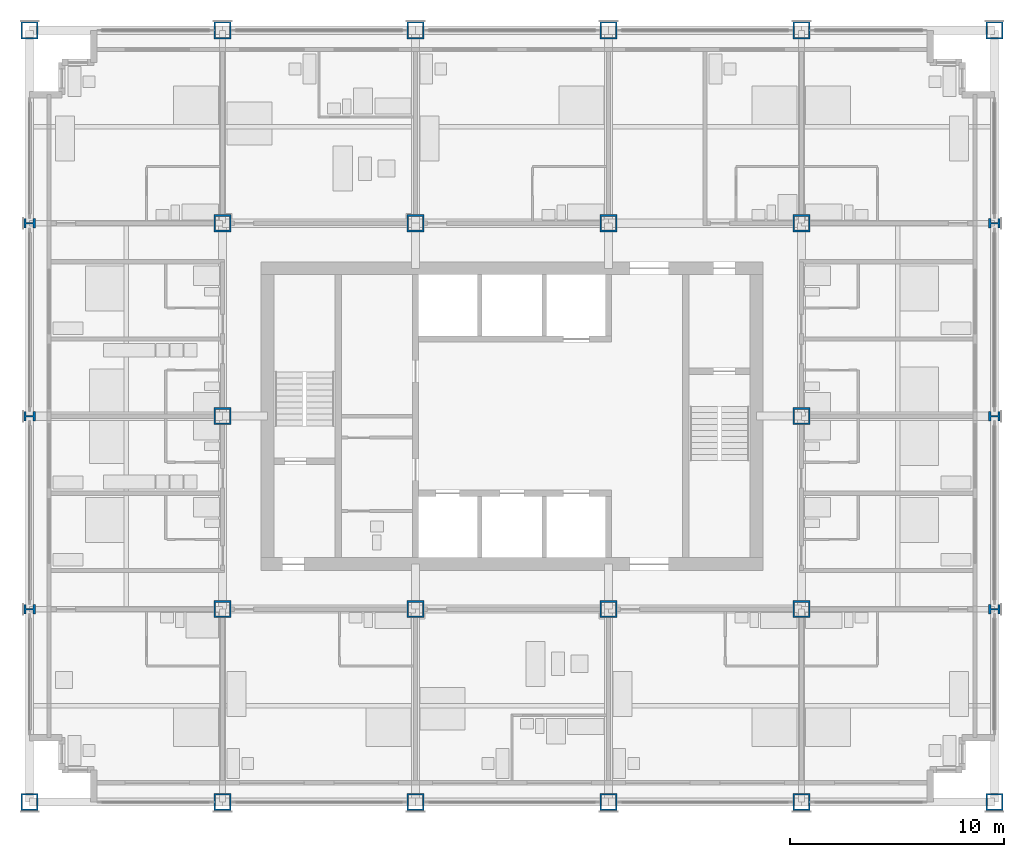
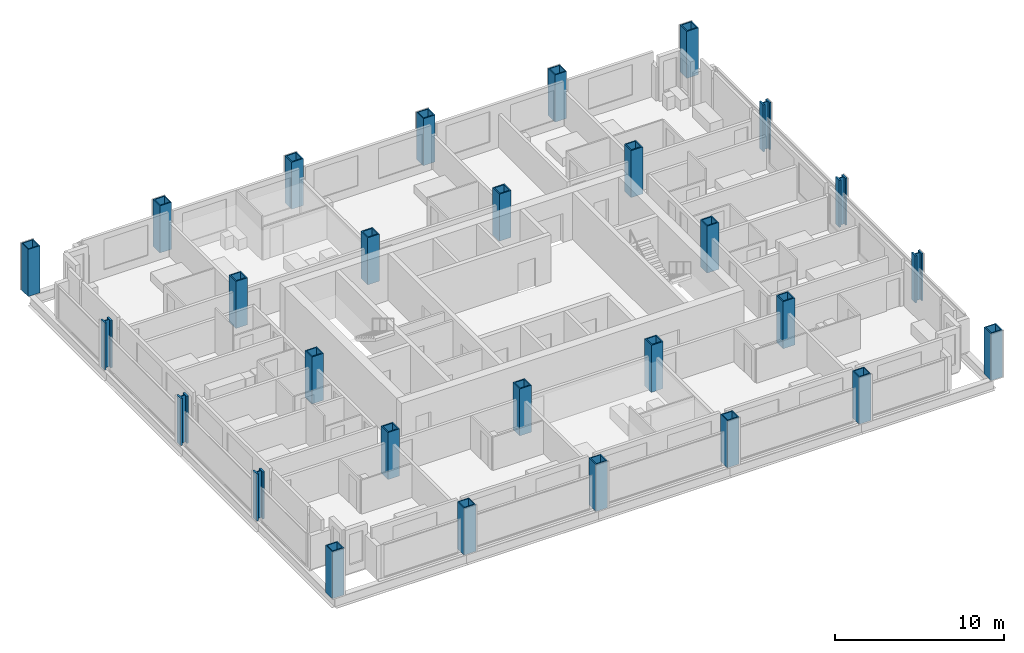
# One storey, part 1 of 16: 28 columns.
"""IFC4 building model written with IfcOpenShell, lengths in metres."""

from ifc_helpers import new_model, si_unit, direction, frame, origin, origin_2d, place, context, subcontext, project, spatial, hollow_rectangle, i_section, extrude, material, material_profile, profile_set, type_object, element, save


model = new_model("IFC4")

# Units and contexts
model_context = context("Model", 3, precision=1e-05, world=origin(), true_north=direction((0.0, 1.0)))
body_context = subcontext(model_context, "Body", "Model", "MODEL_VIEW")
ifc_project = project(units=[si_unit("LENGTHUNIT", "METRE"), si_unit("AREAUNIT", "SQUARE_METRE"), si_unit("VOLUMEUNIT", "CUBIC_METRE"), si_unit("PLANEANGLEUNIT", "RADIAN"), si_unit("MASSUNIT", "GRAM", prefix="KILO")], contexts=[model_context])

# Site, building, storey
site_placement = place(None, origin())
site = spatial("IfcSite", under=ifc_project, at=site_placement, CompositionType="ELEMENT")
building_placement = place(site_placement, origin())
building = spatial("IfcBuilding", under=site, at=building_placement, Name="Loomwork Tower", CompositionType="ELEMENT")
storey_placement = place(building_placement, frame((0.0, 0.0, 107.800048828125)))
storey = spatial("IfcBuildingStorey", under=building, at=storey_placement, Name="L28", CompositionType="ELEMENT", Elevation=107.800048828125)

# Columns
ifc_material_1 = material(Name="Steel ASTM A572 Grade 50 plate", Category="steel")
ifc_material_profile_1 = material_profile(ifc_material_1, hollow_rectangle(XDim=0.800048828125, YDim=0.800048828125, WallThickness=0.070068359375, at=origin_2d()), Name="BOX800x70")
ifc_profile_set_1 = profile_set([ifc_material_profile_1], Name="Steel ASTM A572 Grade 50 plate")
column_type_1 = type_object("IfcColumnType", Name="EXOSKELETON PIER BOX800x70", PredefinedType="COLUMN", material=ifc_profile_set_1)
for number, where, z_axis, x_axis, name in (
    (1, (0.0, 0.0, 0.0), (0.0, 0.0, 1.0), (1.0, 0.0, 0.0), "Exoskeleton Pier D/2 L28"),
    (2, (0.0, 36.0, 0.0), (0.0, 0.0, 1.0), (1.0, 0.0, 0.0), "Exoskeleton Pier H/2 L28"),
    (3, (9.0, 0.0, 0.0), (0.0, 0.0, 1.0), (1.0, 0.0, 0.0), "Exoskeleton Pier D/3 L28"),
    (4, (9.0, 36.0, 0.0), (0.0, 0.0, 1.0), (1.0, 0.0, 0.0), "Exoskeleton Pier H/3 L28"),
    (5, (18.0, 0.0, 0.0), (0.0, 0.0, 1.0), (1.0, 0.0, 0.0), "Exoskeleton Pier D/4 L28"),
    (6, (18.0, 36.0, 0.0), (0.0, 0.0, 1.0), (1.0, 0.0, 0.0), "Exoskeleton Pier H/4 L28"),
    (7, (27.0, 0.0, 0.0), (0.0, 0.0, 1.0), (1.0, 0.0, 0.0), "Exoskeleton Pier D/5 L28"),
    (8, (27.0, 36.0, 0.0), (0.0, 0.0, 1.0), (1.0, 0.0, 0.0), "Exoskeleton Pier H/5 L28"),
    (9, (36.0, 0.0, 0.0), (0.0, 0.0, 1.0), (1.0, 0.0, 0.0), "Exoskeleton Pier D/6 L28"),
    (10, (36.0, 36.0, 0.0), (0.0, 0.0, 1.0), (1.0, 0.0, 0.0), "Exoskeleton Pier H/6 L28"),
    (11, (45.0, 0.0, 0.0), (0.0, 0.0, 1.0), (1.0, 0.0, 0.0), "Exoskeleton Pier D/7 L28"),
    (12, (45.0, 36.0, 0.0), (0.0, 0.0, 1.0), (1.0, 0.0, 0.0), "Exoskeleton Pier H/7 L28"),
):
    element("IfcColumn", number, at=place(storey_placement, frame(where, z_axis=z_axis, x_axis=x_axis)), inside=storey, type_object=column_type_1, Name=name, PredefinedType="COLUMN", context=body_context, shape_type="SweptSolid", body=[
        extrude(hollow_rectangle(XDim=0.800048828125, YDim=0.800048828125, WallThickness=0.070068359375, at=origin_2d()), origin(), (0.0, 0.0, 1.0), 3.39990234375),
    ])
ifc_material_2 = material(Name="Steel ASTM A992", Category="steel")
ifc_material_profile_2 = material_profile(ifc_material_2, i_section(OverallWidth=0.449462890625, OverallDepth=0.548583984375, WebThickness=0.07177734375, FlangeThickness=0.11474609375, at=origin_2d()), Name="W14x665")
ifc_profile_set_2 = profile_set([ifc_material_profile_2], Name="Steel ASTM A992")
column_type_2 = type_object("IfcColumnType", Name="EXOSKELETON PIER W14x665", PredefinedType="COLUMN", material=ifc_profile_set_2)
for number, where, z_axis, x_axis, name in (
    (13, (0.0, 9.0, 0.0), (0.0, 0.0, 1.0), (0.0, 1.0, 0.0), "Exoskeleton Pier E/2 L28"),
    (14, (0.0, 18.0, 0.0), (0.0, 0.0, 1.0), (0.0, 1.0, 0.0), "Exoskeleton Pier F/2 L28"),
    (15, (0.0, 27.0, 0.0), (0.0, 0.0, 1.0), (0.0, 1.0, 0.0), "Exoskeleton Pier G/2 L28"),
    (16, (45.0, 9.0, 0.0), (0.0, 0.0, 1.0), (0.0, 1.0, 0.0), "Exoskeleton Pier E/7 L28"),
    (17, (45.0, 18.0, 0.0), (0.0, 0.0, 1.0), (0.0, 1.0, 0.0), "Exoskeleton Pier F/7 L28"),
    (18, (45.0, 27.0, 0.0), (0.0, 0.0, 1.0), (0.0, 1.0, 0.0), "Exoskeleton Pier G/7 L28"),
):
    element("IfcColumn", number, at=place(storey_placement, frame(where, z_axis=z_axis, x_axis=x_axis)), inside=storey, type_object=column_type_2, Name=name, PredefinedType="COLUMN", context=body_context, shape_type="SweptSolid", body=[
        extrude(i_section(OverallWidth=0.449462890625, OverallDepth=0.548583984375, WebThickness=0.07177734375, FlangeThickness=0.11474609375, at=origin_2d()), origin(), (0.0, 0.0, 1.0), 3.39990234375),
    ])
ifc_material_3 = material(Name="Steel ASTM A572 Grade 50 plate", Category="steel")
ifc_material_profile_3 = material_profile(ifc_material_3, hollow_rectangle(XDim=0.800048828125, YDim=0.800048828125, WallThickness=0.080078125, at=origin_2d()), Name="BOX800x80")
ifc_profile_set_3 = profile_set([ifc_material_profile_3], Name="Steel ASTM A572 Grade 50 plate")
column_type_3 = type_object("IfcColumnType", Name="TOWER COLUMN BOX800x80", PredefinedType="COLUMN", material=ifc_profile_set_3)
for number, where, z_axis, x_axis, name in (
    (19, (9.0, 9.0, 0.0), (0.0, 0.0, 1.0), (1.0, 0.0, 0.0), "Tower Column E/3 L28"),
    (20, (9.0, 18.0, 0.0), (0.0, 0.0, 1.0), (1.0, 0.0, 0.0), "Tower Column F/3 L28"),
    (21, (9.0, 27.0, 0.0), (0.0, 0.0, 1.0), (1.0, 0.0, 0.0), "Tower Column G/3 L28"),
    (22, (18.0, 9.0, 0.0), (0.0, 0.0, 1.0), (1.0, 0.0, 0.0), "Tower Column E/4 L28"),
    (23, (18.0, 27.0, 0.0), (0.0, 0.0, 1.0), (1.0, 0.0, 0.0), "Tower Column G/4 L28"),
    (24, (27.0, 9.0, 0.0), (0.0, 0.0, 1.0), (1.0, 0.0, 0.0), "Tower Column E/5 L28"),
    (25, (27.0, 27.0, 0.0), (0.0, 0.0, 1.0), (1.0, 0.0, 0.0), "Tower Column G/5 L28"),
    (26, (36.0, 9.0, 0.0), (0.0, 0.0, 1.0), (0.0, 1.0, 0.0), "Tower Column E/6 L28"),
    (27, (36.0, 18.0, 0.0), (0.0, 0.0, 1.0), (0.0, 1.0, 0.0), "Tower Column F/6 L28"),
    (28, (36.0, 27.0, 0.0), (0.0, 0.0, 1.0), (1.0, 0.0, 0.0), "Tower Column G/6 L28"),
):
    element("IfcColumn", number, at=place(storey_placement, frame(where, z_axis=z_axis, x_axis=x_axis)), inside=storey, type_object=column_type_3, Name=name, PredefinedType="COLUMN", context=body_context, shape_type="SweptSolid", body=[
        extrude(hollow_rectangle(XDim=0.800048828125, YDim=0.800048828125, WallThickness=0.080078125, at=origin_2d()), origin(), (0.0, 0.0, 1.0), 3.39990234375),
    ])

save(model, "model.ifc")
